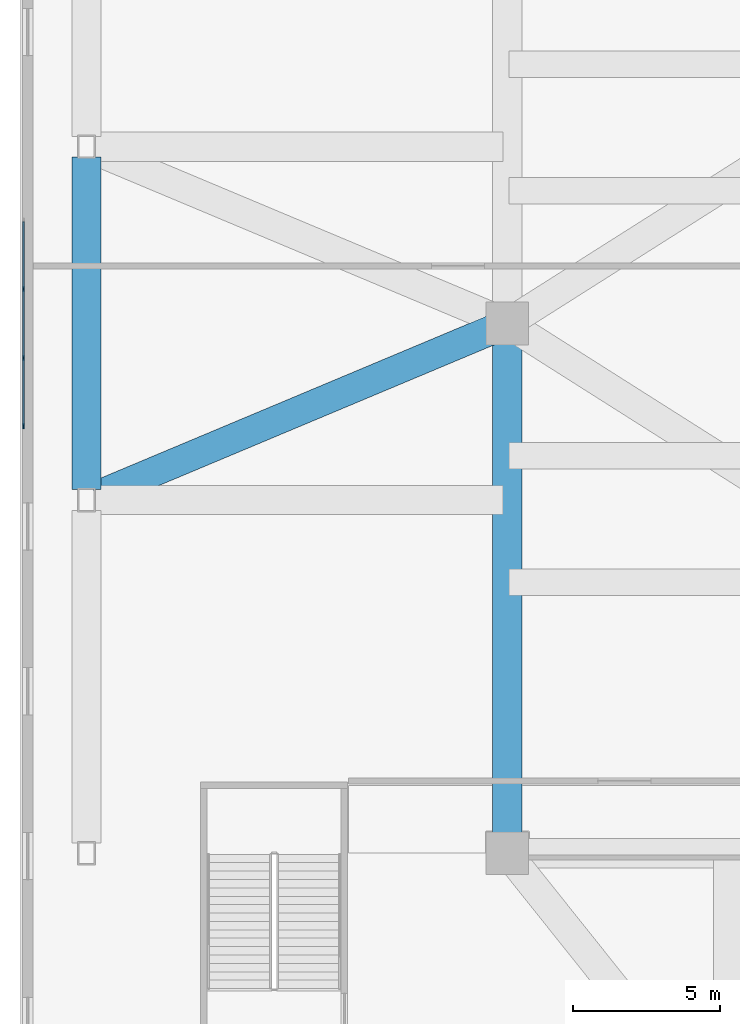
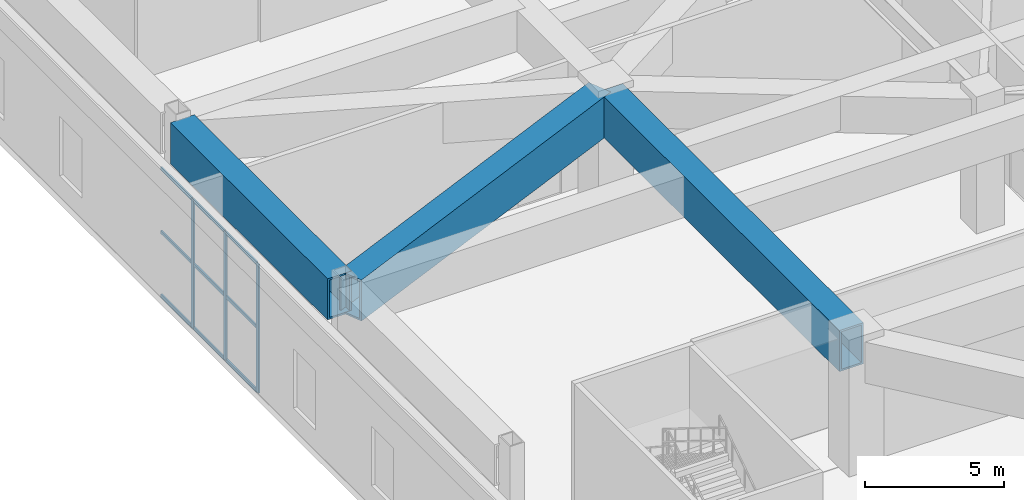
# One storey, part 2 of 24: 12 members, 3 beams, 1 element without a shape of its own.
"""IFC4 building model written with IfcOpenShell, lengths in metres."""

from ifc_helpers import new_model, si_unit, direction, frame, origin, origin_2d, place, context, subcontext, project, spatial, rectangle, hollow_rectangle, extrude, material, layer, layer_set, material_profile, profile_set, type_object, element, aggregate, save


model = new_model("IFC4")

# Units and contexts
model_context = context("Model", 3, precision=1e-05, world=origin(), true_north=direction((0.0, 1.0)))
body_context = subcontext(model_context, "Body", "Model", "MODEL_VIEW")
ifc_project = project(units=[si_unit("LENGTHUNIT", "METRE"), si_unit("AREAUNIT", "SQUARE_METRE"), si_unit("VOLUMEUNIT", "CUBIC_METRE"), si_unit("PLANEANGLEUNIT", "RADIAN"), si_unit("MASSUNIT", "GRAM", prefix="KILO")], contexts=[model_context])

# Site, building, storey
site_placement = place(None, origin())
site = spatial("IfcSite", under=ifc_project, at=site_placement, CompositionType="ELEMENT")
building_placement = place(site_placement, origin())
building = spatial("IfcBuilding", under=site, at=building_placement, Name="Apsidion Concourse Tower", CompositionType="ELEMENT")
storey_placement = place(building_placement, frame((0.0, 0.0, 17.5)))
storey = spatial("IfcBuildingStorey", under=building, at=storey_placement, Name="L03", CompositionType="ELEMENT", Elevation=17.5)

# Beams
ifc_material_1 = material(Name="Structural steel ASTM A572 Grade 50", Category="steel")
ifc_material_profile_1 = material_profile(ifc_material_1, hollow_rectangle(XDim=1.0, YDim=1.800048828125, WallThickness=0.080078125, at=origin_2d()), Name="BOX1800X1000X80")
ifc_profile_set_1 = profile_set([ifc_material_profile_1], Name="Structural steel ASTM A572 Grade 50")
beam_type = type_object("IfcBeamType", Name="BM-TR-1800", PredefinedType="USERDEFINED", material=ifc_profile_set_1)
beam_1_placement = place(storey_placement, frame((-24.0, -17.64990234375, 4.800048828125), z_axis=(0.0, 1.0, 0.0), x_axis=(-1.0, 0.0, 0.0)))
element("IfcBeam", 1, at=beam_1_placement, inside=storey, type_object=beam_type, Name="L03 Podium Transfer Collector Girder MC1-MC3", ObjectType="GIRDER", PredefinedType="USERDEFINED", context=body_context, shape_type="SweptSolid", body=[
    extrude(hollow_rectangle(XDim=1.0, YDim=1.800048828125, WallThickness=0.080078125, at=origin_2d()), origin(), (0.0, 0.0, 1.0), 17.2998046875),
])
beam_2_placement = place(storey_placement, frame((-37.977294921875, -5.864501953125, 4.800048828125), z_axis=(0.92212437548, 0.386893572118, 0.0), x_axis=(-0.386893572118, 0.92212437548, 0.0)))
element("IfcBeam", 2, at=beam_2_placement, inside=storey, type_object=beam_type, Name="L03 Podium Diagonal Frame Tie PC02", ObjectType="GIRDER", PredefinedType="USERDEFINED", context=body_context, shape_type="SweptSolid", body=[
    extrude(hollow_rectangle(XDim=1.0, YDim=1.800048828125, WallThickness=0.080078125, at=origin_2d()), origin(), (0.0, 0.0, 1.0), 14.8076171875),
])
beam_3_placement = place(storey_placement, frame((-38.300048828125, -5.64990234375, 4.800048828125), z_axis=(0.0, 1.0, 0.0), x_axis=(-1.0, 0.0, 0.0)))
element("IfcBeam", 3, at=beam_3_placement, inside=storey, type_object=beam_type, Name="L03 Podium Spandrel Girder PC02-PC03", ObjectType="GIRDER", PredefinedType="USERDEFINED", context=body_context, shape_type="SweptSolid", body=[
    extrude(hollow_rectangle(XDim=1.0, YDim=1.800048828125, WallThickness=0.080078125, at=origin_2d()), origin(), (0.0, 0.0, 1.0), 11.2998046875),
])

# Curtain wall, members
ifc_material_2 = material(Name="Insulated laminated low-E glass", Category="glass")
ifc_layer = layer(ifc_material_2, 0.199951171875)
ifc_layer_set = layer_set([ifc_layer], Name="Insulated laminated low-E glass")
curtain_wall_type = type_object("IfcCurtainWallType", Name="CW-SYS-02", PredefinedType="NOTDEFINED", material=ifc_layer_set)
curtain_wall_placement = place(storey_placement, origin())
curtain_wall = element("IfcCurtainWall", 4, at=curtain_wall_placement, inside=storey, type_object=curtain_wall_type, Name="L03 Podium Glazed Curtain Wall W", PredefinedType="NOTDEFINED")
ifc_material_3 = material(Name="Anodised aluminium EN AW-6063 T6", Category="aluminium")
ifc_material_profile_2 = material_profile(ifc_material_3, rectangle(XDim=0.06494140625, YDim=0.179931640625, at=origin_2d()), Name="ALU MULLION 65x180")
ifc_profile_set_2 = profile_set([ifc_material_profile_2], Name="Anodised aluminium EN AW-6063 T6")
member_type_1 = type_object("IfcMemberType", Name="CWM-65X180", PredefinedType="MULLION", material=ifc_profile_set_2)
member_1_placement = place(storey_placement, frame((-40.43994140625, -3.4833984375, 0.0), z_axis=(0.0, 0.0, 1.0), x_axis=(-1.0, 0.0, 0.0)))
member_1 = element("IfcMember", 5, at=member_1_placement, type_object=member_type_1, Name="CW-02 mullion 1", PredefinedType="MULLION", context=body_context, shape_type="SweptSolid", body=[
    extrude(rectangle(XDim=0.06494140625, YDim=0.179931640625, at=origin_2d()), origin(), (0.0, 0.0, 1.0), 5.64990234375),
])
member_2_placement = place(storey_placement, frame((-40.43994140625, -1.172119140625, 0.0), z_axis=(0.0, 0.0, 1.0), x_axis=(-1.0, 0.0, 0.0)))
member_2 = element("IfcMember", 6, at=member_2_placement, type_object=member_type_1, Name="CW-02 mullion 2", PredefinedType="MULLION", context=body_context, shape_type="SweptSolid", body=[
    extrude(rectangle(XDim=0.06494140625, YDim=0.179931640625, at=origin_2d()), origin(), (0.0, 0.0, 1.0), 5.64990234375),
])
member_3_placement = place(storey_placement, frame((-40.43994140625, 1.172119140625, 0.0), z_axis=(0.0, 0.0, 1.0), x_axis=(-1.0, 0.0, 0.0)))
member_3 = element("IfcMember", 7, at=member_3_placement, type_object=member_type_1, Name="CW-02 mullion 3", PredefinedType="MULLION", context=body_context, shape_type="SweptSolid", body=[
    extrude(rectangle(XDim=0.06494140625, YDim=0.179931640625, at=origin_2d()), origin(), (0.0, 0.0, 1.0), 5.64990234375),
])
ifc_material_profile_3 = material_profile(ifc_material_3, rectangle(XDim=0.06494140625, YDim=0.139892578125, at=origin_2d()), Name="ALU TRANSOM 65x140")
ifc_profile_set_3 = profile_set([ifc_material_profile_3], Name="Anodised aluminium EN AW-6063 T6")
member_type_2 = type_object("IfcMemberType", Name="CWT-65X140", PredefinedType="USERDEFINED", material=ifc_profile_set_3)
member_4_placement = place(storey_placement, frame((-40.43994140625, -3.450927734375, 0.032470703125), z_axis=(0.0, 1.0, 0.0), x_axis=(-1.0, 0.0, 0.0)))
member_4 = element("IfcMember", 8, at=member_4_placement, type_object=member_type_2, Name="CW-02 transom 1.1", ObjectType="TRANSOM", PredefinedType="USERDEFINED", context=body_context, shape_type="SweptSolid", body=[
    extrude(rectangle(XDim=0.06494140625, YDim=0.139892578125, at=origin_2d()), origin(), (0.0, 0.0, 1.0), 2.246337890625),
])
member_5_placement = place(storey_placement, frame((-40.43994140625, -3.450927734375, 2.824951171875), z_axis=(0.0, 1.0, 0.0), x_axis=(-1.0, 0.0, 0.0)))
member_5 = element("IfcMember", 9, at=member_5_placement, type_object=member_type_2, Name="CW-02 transom 1.2", ObjectType="TRANSOM", PredefinedType="USERDEFINED", context=body_context, shape_type="SweptSolid", body=[
    extrude(rectangle(XDim=0.06494140625, YDim=0.139892578125, at=origin_2d()), origin(), (0.0, 0.0, 1.0), 2.246337890625),
])
member_6_placement = place(storey_placement, frame((-40.43994140625, -3.450927734375, 5.617431640625), z_axis=(0.0, 1.0, 0.0), x_axis=(-1.0, 0.0, 0.0)))
member_6 = element("IfcMember", 10, at=member_6_placement, type_object=member_type_2, Name="CW-02 transom 1.3", ObjectType="TRANSOM", PredefinedType="USERDEFINED", context=body_context, shape_type="SweptSolid", body=[
    extrude(rectangle(XDim=0.06494140625, YDim=0.139892578125, at=origin_2d()), origin(), (0.0, 0.0, 1.0), 2.246337890625),
])
member_7_placement = place(storey_placement, frame((-40.43994140625, -1.139404296875, 0.032470703125), z_axis=(0.0, 1.0, 0.0), x_axis=(-1.0, 0.0, 0.0)))
member_7 = element("IfcMember", 11, at=member_7_placement, type_object=member_type_2, Name="CW-02 transom 2.1", ObjectType="TRANSOM", PredefinedType="USERDEFINED", context=body_context, shape_type="SweptSolid", body=[
    extrude(rectangle(XDim=0.06494140625, YDim=0.139892578125, at=origin_2d()), origin(), (0.0, 0.0, 1.0), 2.27880859375),
])
member_8_placement = place(storey_placement, frame((-40.43994140625, -1.139404296875, 2.824951171875), z_axis=(0.0, 1.0, 0.0), x_axis=(-1.0, 0.0, 0.0)))
member_8 = element("IfcMember", 12, at=member_8_placement, type_object=member_type_2, Name="CW-02 transom 2.2", ObjectType="TRANSOM", PredefinedType="USERDEFINED", context=body_context, shape_type="SweptSolid", body=[
    extrude(rectangle(XDim=0.06494140625, YDim=0.139892578125, at=origin_2d()), origin(), (0.0, 0.0, 1.0), 2.27880859375),
])
member_9_placement = place(storey_placement, frame((-40.43994140625, -1.139404296875, 5.617431640625), z_axis=(0.0, 1.0, 0.0), x_axis=(-1.0, 0.0, 0.0)))
member_9 = element("IfcMember", 13, at=member_9_placement, type_object=member_type_2, Name="CW-02 transom 2.3", ObjectType="TRANSOM", PredefinedType="USERDEFINED", context=body_context, shape_type="SweptSolid", body=[
    extrude(rectangle(XDim=0.06494140625, YDim=0.139892578125, at=origin_2d()), origin(), (0.0, 0.0, 1.0), 2.27880859375),
])
member_10_placement = place(storey_placement, frame((-40.43994140625, 1.20458984375, 0.032470703125), z_axis=(0.0, 1.0, 0.0), x_axis=(-1.0, 0.0, 0.0)))
member_10 = element("IfcMember", 14, at=member_10_placement, type_object=member_type_2, Name="CW-02 transom 3.1", ObjectType="TRANSOM", PredefinedType="USERDEFINED", context=body_context, shape_type="SweptSolid", body=[
    extrude(rectangle(XDim=0.06494140625, YDim=0.139892578125, at=origin_2d()), origin(), (0.0, 0.0, 1.0), 2.246337890625),
])
member_11_placement = place(storey_placement, frame((-40.43994140625, 1.20458984375, 2.824951171875), z_axis=(0.0, 1.0, 0.0), x_axis=(-1.0, 0.0, 0.0)))
member_11 = element("IfcMember", 15, at=member_11_placement, type_object=member_type_2, Name="CW-02 transom 3.2", ObjectType="TRANSOM", PredefinedType="USERDEFINED", context=body_context, shape_type="SweptSolid", body=[
    extrude(rectangle(XDim=0.06494140625, YDim=0.139892578125, at=origin_2d()), origin(), (0.0, 0.0, 1.0), 2.246337890625),
])
member_12_placement = place(storey_placement, frame((-40.43994140625, 1.20458984375, 5.617431640625), z_axis=(0.0, 1.0, 0.0), x_axis=(-1.0, 0.0, 0.0)))
member_12 = element("IfcMember", 16, at=member_12_placement, type_object=member_type_2, Name="CW-02 transom 3.3", ObjectType="TRANSOM", PredefinedType="USERDEFINED", context=body_context, shape_type="SweptSolid", body=[
    extrude(rectangle(XDim=0.06494140625, YDim=0.139892578125, at=origin_2d()), origin(), (0.0, 0.0, 1.0), 2.246337890625),
])
aggregate(curtain_wall, [member_1, member_2, member_3, member_4, member_5, member_6, member_7, member_8, member_9, member_10, member_11, member_12])

save(model, "model.ifc")
